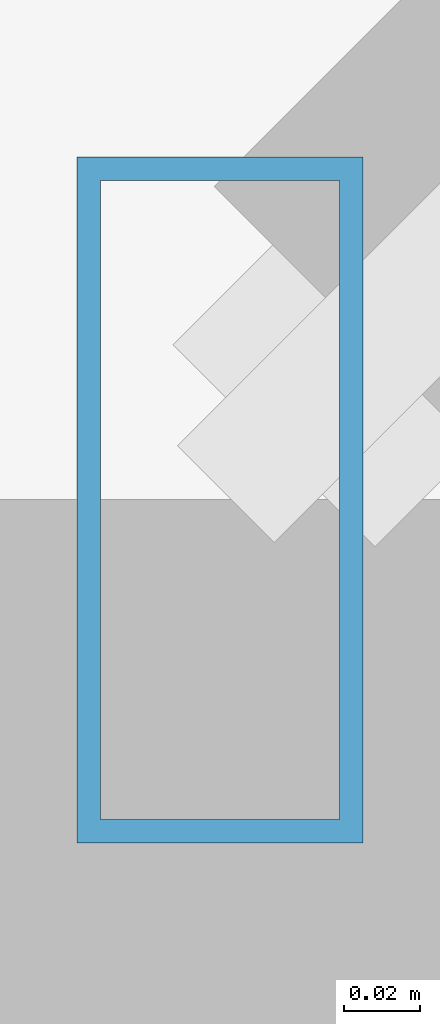
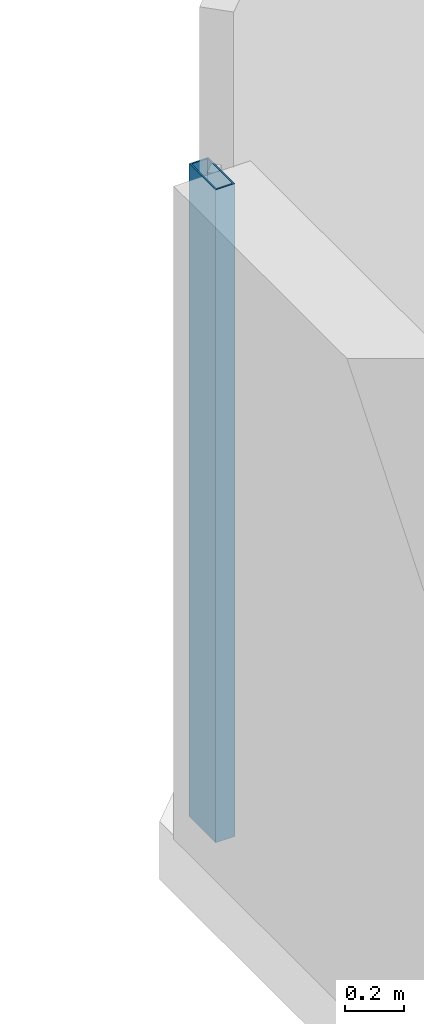
# One storey, part 13 of 34: 1 member, 1 element without a shape of its own.
"""IFC4 building model written with IfcOpenShell, lengths in metres."""

from ifc_helpers import new_model, si_unit, direction, frame, origin, origin_2d, place, context, subcontext, project, spatial, hollow_rectangle, extrude, material, material_profile, profile_set, type_object, element, aggregate, save


model = new_model("IFC4")

# Units and contexts
model_context = context("Model", 3, precision=1e-05, world=origin(), true_north=direction((0.0, 1.0)))
body_context = subcontext(model_context, "Body", "Model", "MODEL_VIEW")
ifc_project = project(units=[si_unit("LENGTHUNIT", "METRE"), si_unit("AREAUNIT", "SQUARE_METRE"), si_unit("VOLUMEUNIT", "CUBIC_METRE"), si_unit("PLANEANGLEUNIT", "RADIAN"), si_unit("MASSUNIT", "GRAM", prefix="KILO")], contexts=[model_context])

# Site, building, storey
site_placement = place(None, origin())
site = spatial("IfcSite", under=ifc_project, at=site_placement, CompositionType="ELEMENT")
building_placement = place(site_placement, origin())
building = spatial("IfcBuilding", under=site, at=building_placement, Name="Thornwick Lancets Civic Towers", CompositionType="ELEMENT")
storey_placement = place(building_placement, frame((0.0, 0.0, 261.89990234375)))
storey = spatial("IfcBuildingStorey", under=building, at=storey_placement, Name="L70", CompositionType="ELEMENT", Elevation=261.89990234375)

# Curtain wall, member
ifc_material_1 = material(Name="High-zone chamfered-corner unitised glass curtain wall", Category="glass")
curtain_wall_type = type_object("IfcCurtainWallType", Name="CW_SYS_05", PredefinedType="NOTDEFINED", material=ifc_material_1)
curtain_wall_placement = place(storey_placement, origin())
curtain_wall = element("IfcCurtainWall", 1, at=curtain_wall_placement, inside=storey, type_object=curtain_wall_type, Name="L70 Curtain Wall CW-L70-B-E5", PredefinedType="NOTDEFINED")
ifc_material_2 = material(Name="Thermally broken bronze aluminium S355", Category="steel")
ifc_material_profile = material_profile(ifc_material_2, hollow_rectangle(XDim=0.074951171875, YDim=0.179931640625, WallThickness=0.006103515625, at=origin_2d()), Name="RHS 180x75x6")
ifc_profile_set = profile_set([ifc_material_profile], Name="Thermally broken bronze aluminium S355")
member_type = type_object("IfcMemberType", Name="CW_MUL_180", PredefinedType="MULLION", material=ifc_profile_set)
member_placement = place(storey_placement, frame((70.739013671875, 47.07763671875, 0.0), z_axis=(0.0, 0.0, 1.0), x_axis=(1.0, 0.0, 0.0)))
member = element("IfcMember", 2, at=member_placement, type_object=member_type, Name="CW-L70-B-E5 Mullion 1", PredefinedType="MULLION", context=body_context, shape_type="SweptSolid", body=[
    extrude(hollow_rectangle(XDim=0.074951171875, YDim=0.179931640625, WallThickness=0.006103515625, at=origin_2d()), origin(), (0.0, 0.0, 1.0), 2.7001953125),
])
aggregate(curtain_wall, [member])

save(model, "model.ifc")
